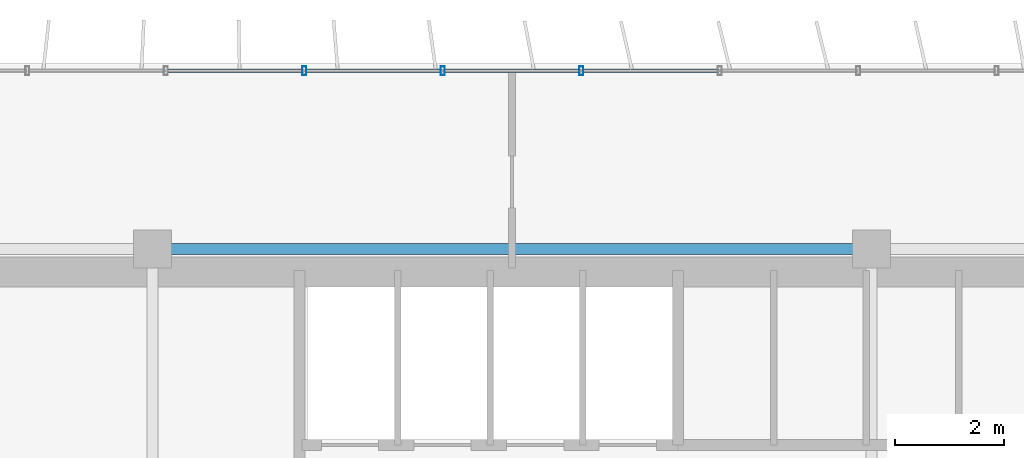
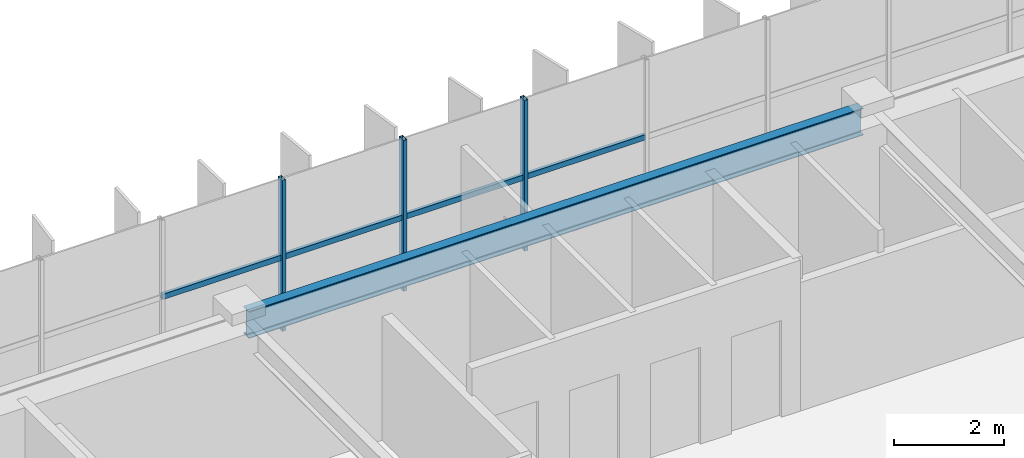
# One storey, part 7 of 20: 7 members, 1 beam, 1 element without a shape of its own.
"""IFC4 building model written with IfcOpenShell, lengths in metres."""

from ifc_helpers import new_model, si_unit, direction, frame, origin, origin_2d, place, context, subcontext, project, spatial, hollow_rectangle, i_section, extrude, source, transform, mapped, material, material_profile, profile_set, type_object, element, aggregate, save


model = new_model("IFC4")

# Units and contexts
model_context = context("Model", 3, precision=1e-05, world=origin(), true_north=direction((0.0, 1.0)))
body_context = subcontext(model_context, "Body", "Model", "MODEL_VIEW")
ifc_project = project(units=[si_unit("LENGTHUNIT", "METRE"), si_unit("AREAUNIT", "SQUARE_METRE"), si_unit("VOLUMEUNIT", "CUBIC_METRE"), si_unit("PLANEANGLEUNIT", "RADIAN"), si_unit("MASSUNIT", "GRAM", prefix="KILO")], contexts=[model_context])

# Site, building, storey
site_placement = place(None, origin())
site = spatial("IfcSite", under=ifc_project, at=site_placement, CompositionType="ELEMENT")
building_placement = place(site_placement, origin())
building = spatial("IfcBuilding", under=site, at=building_placement, Name="Trelvane Seafront Commons", CompositionType="ELEMENT")
storey_placement = place(building_placement, frame((0.0, 0.0, 142.89990234375)))
storey = spatial("IfcBuildingStorey", under=building, at=storey_placement, Name="L37", CompositionType="ELEMENT", Elevation=142.89990234375)

# Beam
ifc_material_1 = material(Name="Steel SM355 (S355)", Category="steel")
ifc_material_profile_1 = material_profile(ifc_material_1, i_section(OverallWidth=0.199951171875, OverallDepth=0.60009765625, WebThickness=0.010986328125, FlangeThickness=0.01708984375, at=origin_2d()), Name="H-600x200x11x17")
ifc_profile_set_1 = profile_set([ifc_material_profile_1], Name="Steel SM355 (S355)")
beam_type = type_object("IfcBeamType", Name="STR-SPD-H600", PredefinedType="SPANDREL", material=ifc_profile_set_1)
shared_shape_1 = source(origin(), body_context, "Body", "SweptSolid", [
    extrude(i_section(OverallWidth=0.199951171875, OverallDepth=0.60009765625, WebThickness=0.010986328125, FlangeThickness=0.01708984375, at=origin_2d()), origin(), (0.0, 0.0, 1.0), 12.89990234375),
])
beam_placement = place(storey_placement, frame((30.75, 45.10009765625, 3.050048828125), z_axis=(1.0, 0.0, 0.0), x_axis=(0.0, 1.0, 0.0)))
element("IfcBeam", 1, at=beam_placement, inside=storey, type_object=beam_type, Name="L37 Primary Girder G-25", PredefinedType="SPANDREL", context=body_context, shape_type="MappedRepresentation", body=[
    mapped(shared_shape_1, transform((0.0, 0.0, 0.0), x_axis=(1.0, 0.0, 0.0), y_axis=(0.0, 1.0, 0.0), z_axis=(0.0, 0.0, 1.0), scale=1.0)),
])

# Curtain wall, members
ifc_material_2 = material(Name="Anodised pale-silver aluminium", Category="aluminium")
curtain_wall_type = type_object("IfcCurtainWallType", Name="ARCH-CW5-UPTOWER", PredefinedType="NOTDEFINED", material=ifc_material_2)
curtain_wall_placement = place(storey_placement, origin())
curtain_wall = element("IfcCurtainWall", 2, at=curtain_wall_placement, inside=storey, type_object=curtain_wall_type, Name="CW-L37-0064", PredefinedType="NOTDEFINED")
ifc_material_profile_2 = material_profile(ifc_material_2, hollow_rectangle(XDim=0.070068359375, YDim=0.1201171875, WallThickness=0.00390625, at=origin_2d()), Name="TRAN-70x120x4")
ifc_profile_set_2 = profile_set([ifc_material_profile_2], Name="Anodised pale-silver aluminium")
member_type_1 = type_object("IfcMemberType", Name="ARCH-CW-TRAN-120", PredefinedType="USERDEFINED", material=ifc_profile_set_2)
shared_shape_2 = source(origin(), body_context, "Body", "SweptSolid", [
    extrude(hollow_rectangle(XDim=0.070068359375, YDim=0.1201171875, WallThickness=0.00390625, at=origin_2d()), origin(), (0.0, 0.0, 1.0), 2.51708984375),
])
member_1_placement = place(storey_placement, frame((30.859130859375, 48.3701171875, 1.608154296875), z_axis=(1.0, 0.0, 0.0), x_axis=(0.0, 1.0, 0.0)))
member_1 = element("IfcMember", 3, at=member_1_placement, type_object=member_type_1, Name="CW-L37-0064-T06", ObjectType="TRANSOM", PredefinedType="USERDEFINED", context=body_context, shape_type="MappedRepresentation", body=[
    mapped(shared_shape_2, transform((0.0, 0.0, 0.0), x_axis=(1.0, 0.0, 0.0), y_axis=(0.0, 1.0, 0.0), z_axis=(0.0, 0.0, 1.0), scale=1.0)),
])
member_2_placement = place(storey_placement, frame((35.94140625, 48.3701171875, 1.608154296875), z_axis=(1.0, 0.0, 0.0), x_axis=(0.0, 1.0, 0.0)))
member_2 = element("IfcMember", 4, at=member_2_placement, type_object=member_type_1, Name="CW-L37-0064-T08", ObjectType="TRANSOM", PredefinedType="USERDEFINED", context=body_context, shape_type="MappedRepresentation", body=[
    mapped(shared_shape_2, transform((0.0, 0.0, 0.0), x_axis=(1.0, 0.0, 0.0), y_axis=(0.0, 1.0, 0.0), z_axis=(0.0, 0.0, 1.0), scale=1.0)),
])
member_3_placement = place(storey_placement, frame((38.482666015625, 48.3701171875, 1.608154296875), z_axis=(1.0, 0.0, 0.0), x_axis=(0.0, 1.0, 0.0)))
member_3 = element("IfcMember", 5, at=member_3_placement, type_object=member_type_1, Name="CW-L37-0064-T09", ObjectType="TRANSOM", PredefinedType="USERDEFINED", context=body_context, shape_type="MappedRepresentation", body=[
    mapped(shared_shape_2, transform((0.0, 0.0, 0.0), x_axis=(1.0, 0.0, 0.0), y_axis=(0.0, 1.0, 0.0), z_axis=(0.0, 0.0, 1.0), scale=1.0)),
])
shared_shape_3 = source(origin(), body_context, "Body", "SweptSolid", [
    extrude(hollow_rectangle(XDim=0.070068359375, YDim=0.1201171875, WallThickness=0.00390625, at=origin_2d()), origin(), (0.0, 0.0, 1.0), 2.517333984375),
])
member_4_placement = place(storey_placement, frame((33.400146484375, 48.3701171875, 1.608154296875), z_axis=(1.0, 0.0, 0.0), x_axis=(0.0, 1.0, 0.0)))
member_4 = element("IfcMember", 6, at=member_4_placement, type_object=member_type_1, Name="CW-L37-0064-T07", ObjectType="TRANSOM", PredefinedType="USERDEFINED", context=body_context, shape_type="MappedRepresentation", body=[
    mapped(shared_shape_3, transform((0.0, 0.0, 0.0), x_axis=(1.0, 0.0, 0.0), y_axis=(0.0, 1.0, 0.0), z_axis=(0.0, 0.0, 1.0), scale=1.0)),
])
ifc_material_profile_3 = material_profile(ifc_material_2, hollow_rectangle(XDim=0.074951171875, YDim=0.159912109375, WallThickness=0.00390625, at=origin_2d()), Name="MULL-75x160x4")
ifc_profile_set_3 = profile_set([ifc_material_profile_3], Name="Anodised pale-silver aluminium")
member_type_2 = type_object("IfcMemberType", Name="ARCH-CW-MULL-160", PredefinedType="MULLION", material=ifc_profile_set_3)
shared_shape_4 = source(origin(), body_context, "Body", "SweptSolid", [
    extrude(hollow_rectangle(XDim=0.074951171875, YDim=0.159912109375, WallThickness=0.00390625, at=origin_2d()), origin(), (0.0, 0.0, 1.0), 3.35009765625),
])
member_5_placement = place(storey_placement, frame((33.38818359375, 48.3701171875, 0.0), z_axis=(0.0, 0.0, 1.0), x_axis=(1.0, 0.0, 0.0)))
member_5 = element("IfcMember", 7, at=member_5_placement, type_object=member_type_2, Name="CW-L37-0064-M07", PredefinedType="MULLION", context=body_context, shape_type="MappedRepresentation", body=[
    mapped(shared_shape_4, transform((0.0, 0.0, 0.0), x_axis=(1.0, 0.0, 0.0), y_axis=(0.0, 1.0, 0.0), z_axis=(0.0, 0.0, 1.0), scale=1.0)),
])
member_6_placement = place(storey_placement, frame((35.929443359375, 48.3701171875, 0.0), z_axis=(0.0, 0.0, 1.0), x_axis=(1.0, 0.0, 0.0)))
member_6 = element("IfcMember", 8, at=member_6_placement, type_object=member_type_2, Name="CW-L37-0064-M08", PredefinedType="MULLION", context=body_context, shape_type="MappedRepresentation", body=[
    mapped(shared_shape_4, transform((0.0, 0.0, 0.0), x_axis=(1.0, 0.0, 0.0), y_axis=(0.0, 1.0, 0.0), z_axis=(0.0, 0.0, 1.0), scale=1.0)),
])
member_7_placement = place(storey_placement, frame((38.470703125, 48.3701171875, 0.0), z_axis=(0.0, 0.0, 1.0), x_axis=(1.0, 0.0, 0.0)))
member_7 = element("IfcMember", 9, at=member_7_placement, type_object=member_type_2, Name="CW-L37-0064-M09", PredefinedType="MULLION", context=body_context, shape_type="MappedRepresentation", body=[
    mapped(shared_shape_4, transform((0.0, 0.0, 0.0), x_axis=(1.0, 0.0, 0.0), y_axis=(0.0, 1.0, 0.0), z_axis=(0.0, 0.0, 1.0), scale=1.0)),
])
aggregate(curtain_wall, [member_5, member_6, member_7, member_1, member_4, member_2, member_3])

save(model, "model.ifc")
